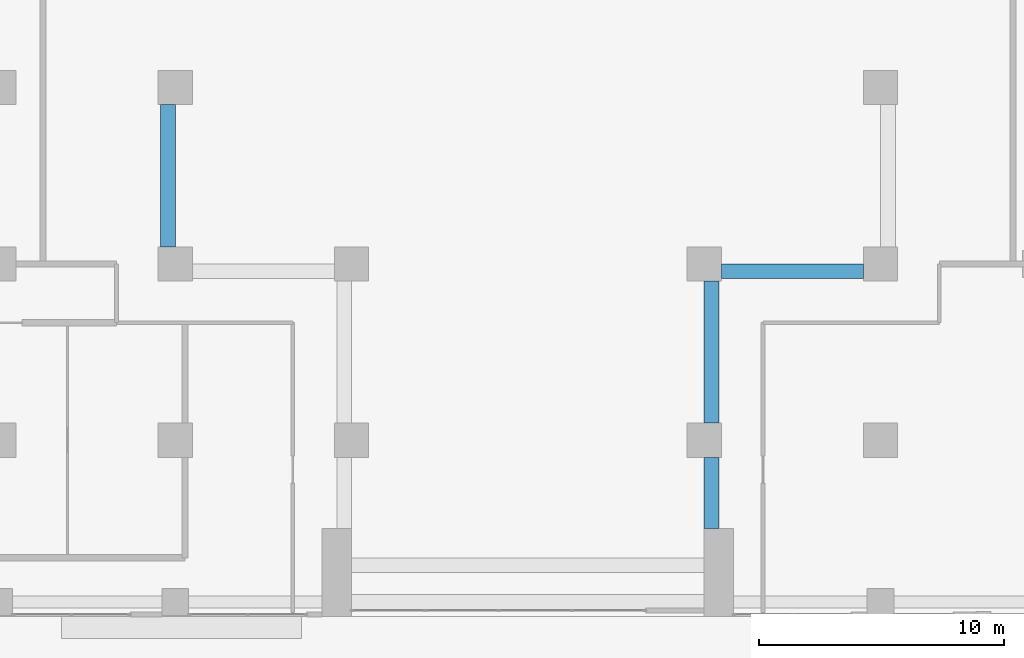
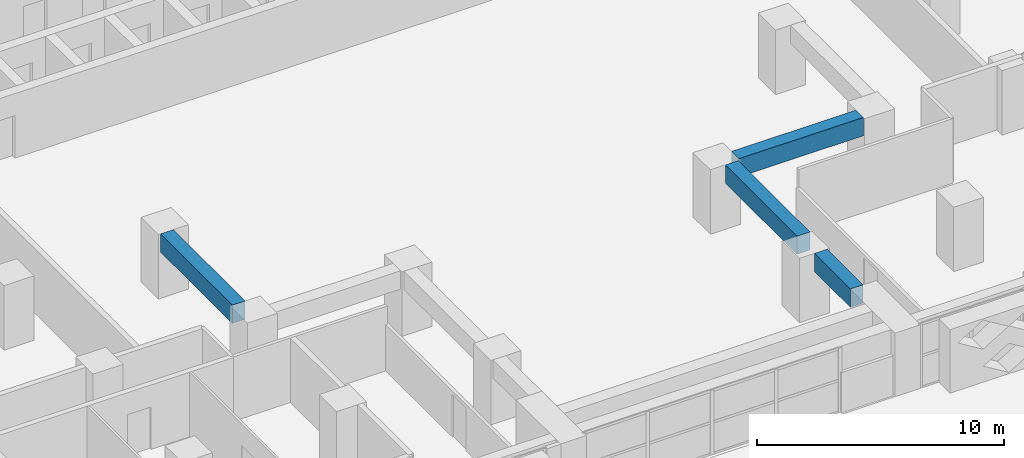
# One storey, part 4 of 24: 4 beams.
"""IFC4 building model written with IfcOpenShell, lengths in metres."""

from ifc_helpers import new_model, si_unit, direction, frame, origin, origin_2d, place, context, subcontext, project, spatial, rectangle, extrude, source, transform, mapped, material, material_profile, profile_set, type_object, element, save


model = new_model("IFC4")

# Units and contexts
model_context = context("Model", 3, precision=1e-05, world=origin(), true_north=direction((0.0, 1.0)))
body_context = subcontext(model_context, "Body", "Model", "MODEL_VIEW")
ifc_project = project(units=[si_unit("LENGTHUNIT", "METRE"), si_unit("AREAUNIT", "SQUARE_METRE"), si_unit("VOLUMEUNIT", "CUBIC_METRE"), si_unit("PLANEANGLEUNIT", "RADIAN"), si_unit("MASSUNIT", "GRAM", prefix="KILO")], contexts=[model_context])

# Site, building, storey
site_placement = place(None, origin())
site = spatial("IfcSite", under=ifc_project, at=site_placement, CompositionType="ELEMENT")
building_placement = place(site_placement, origin())
building = spatial("IfcBuilding", under=site, at=building_placement, Name="Saffron Iwan Residences", CompositionType="ELEMENT")
storey_placement = place(building_placement, frame((0.0, 0.0, 27.0)))
storey = spatial("IfcBuildingStorey", under=building, at=storey_placement, Name="L05", CompositionType="ELEMENT", Elevation=27.0)

# Beams
ifc_material = material(Name="Concrete C60/75", Category="concrete")
ifc_material_profile = material_profile(ifc_material, rectangle(XDim=0.60009765625, YDim=0.89990234375, at=origin_2d()), Name="RC 600x900")
ifc_profile_set = profile_set([ifc_material_profile], Name="Concrete C60/75")
beam_type = type_object("IfcBeamType", Name="BEAM RC 600x900 C60/75 TOP 3180", PredefinedType="BEAM", material=ifc_profile_set)
shared_shape_1 = source(origin(), body_context, "Body", "SweptSolid", [
    extrude(rectangle(XDim=0.60009765625, YDim=0.89990234375, at=origin_2d()), origin(), (0.0, 0.0, 1.0), 2.900146484375),
])
beam_placement = place(storey_placement, frame((57.89990234375, 40.10009765625, 2.72998046875), z_axis=(0.0, -1.0, 0.0), x_axis=(1.0, 0.0, 0.0)))
element("IfcBeam", 1, at=beam_placement, inside=storey, type_object=beam_type, Name="Atrium edge beam", PredefinedType="BEAM", context=body_context, shape_type="MappedRepresentation", body=[
    mapped(shared_shape_1, transform((0.0, 0.0, 0.0))),
])
shared_shape_2 = source(origin(), body_context, "Body", "SweptSolid", [
    extrude(rectangle(XDim=0.60009765625, YDim=0.89990234375, at=origin_2d()), origin(), (0.0, 0.0, 1.0), 5.800048828125),
])
for number, where, z_axis, x_axis, name in (
    (2, (57.89990234375, 47.300048828125, 2.72998046875), (0.0, -1.0, 0.0), (1.0, 0.0, 0.0), "Atrium edge beam"),
    (3, (64.10009765625, 47.699951171875, 2.72998046875), (-1.0, 0.0, 0.0), (0.0, -1.0, 0.0), "Atrium edge beam"),
    (4, (35.699951171875, 48.699951171875, 2.72998046875), (0.0, 1.0, 0.0), (-1.0, 0.0, 0.0), "Atrium edge beam"),
):
    element("IfcBeam", number, at=place(storey_placement, frame(where, z_axis=z_axis, x_axis=x_axis)), inside=storey, type_object=beam_type, Name=name, PredefinedType="BEAM", context=body_context, shape_type="MappedRepresentation", body=[
        mapped(shared_shape_2, transform((0.0, 0.0, 0.0))),
    ])

save(model, "model.ifc")
